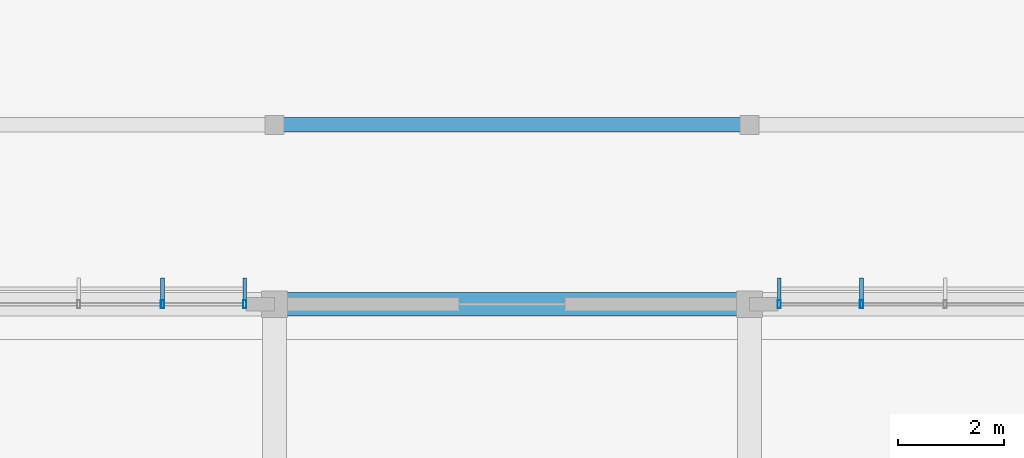
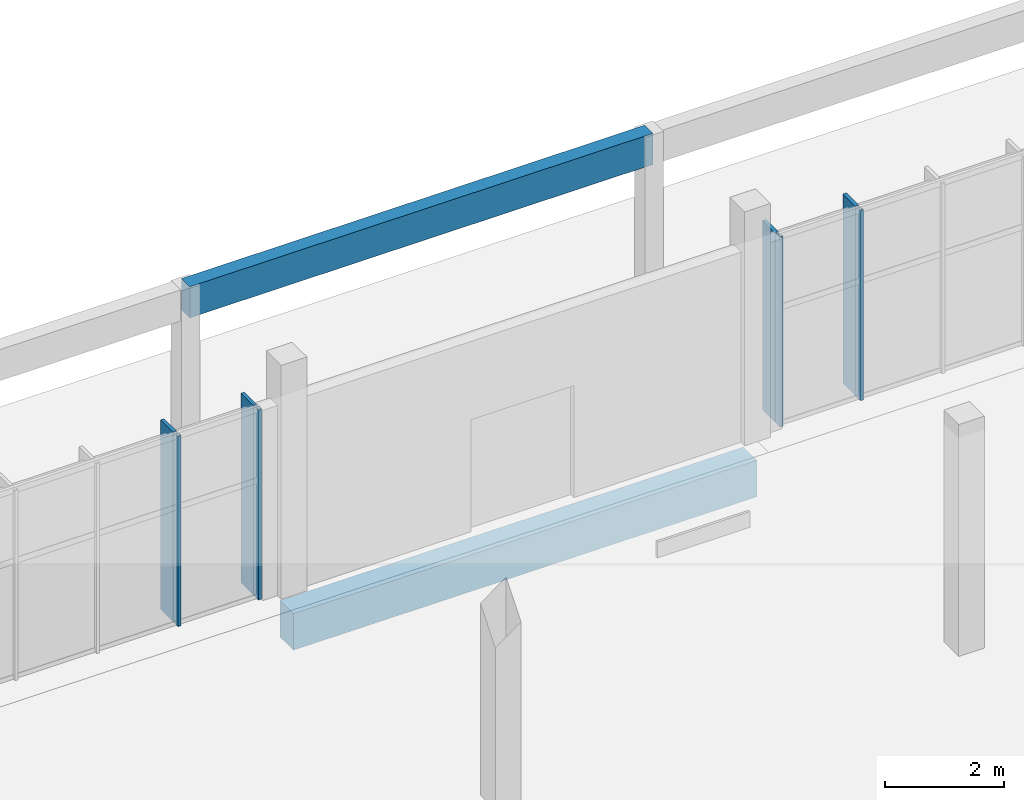
# One storey, part 40 of 151: 8 members, 2 beams, 2 elements without a shape of their own.
"""IFC4 building model written with IfcOpenShell, lengths in metres."""

from ifc_helpers import new_model, si_unit, direction, frame, origin, origin_2d, place, context, subcontext, project, spatial, rectangle, hollow_rectangle, extrude, material, material_profile, profile_set, type_object, element, aggregate, save


model = new_model("IFC4")

# Units and contexts
model_context = context("Model", 3, precision=1e-05, world=origin(), true_north=direction((0.0, 1.0)))
body_context = subcontext(model_context, "Body", "Model", "MODEL_VIEW")
ifc_project = project(units=[si_unit("LENGTHUNIT", "METRE"), si_unit("AREAUNIT", "SQUARE_METRE"), si_unit("VOLUMEUNIT", "CUBIC_METRE"), si_unit("PLANEANGLEUNIT", "RADIAN"), si_unit("MASSUNIT", "GRAM", prefix="KILO")], contexts=[model_context])

# Site, building, storey
site_placement = place(None, origin())
site = spatial("IfcSite", under=ifc_project, at=site_placement, CompositionType="ELEMENT")
building_placement = place(site_placement, origin())
building = spatial("IfcBuilding", under=site, at=building_placement, Name="Chiffa Square Polytechnic", CompositionType="ELEMENT")
storey_placement = place(building_placement, origin())
storey = spatial("IfcBuildingStorey", under=building, at=storey_placement, Name="L00", CompositionType="ELEMENT", Elevation=0.0)

# Curtain wall, members
ifc_material_1 = material(Name="Aluminium EN AW-6060 T66 and glulam shading", Category="wood")
curtain_wall_type_1 = type_object("IfcCurtainWallType", Name="CW-VERT-360X380", PredefinedType="USERDEFINED", material=ifc_material_1)
curtain_wall_1_placement = place(storey_placement, origin())
curtain_wall_1 = element("IfcCurtainWall", 1, at=curtain_wall_1_placement, inside=storey, type_object=curtain_wall_type_1, Name="Curtain wall CW-V4-L00-181", ObjectType="CURTAIN WALL", PredefinedType="USERDEFINED")
ifc_material_2 = material(Name="Aluminium EN AW-6060 T66", Category="aluminium")
ifc_material_profile_1 = material_profile(ifc_material_2, hollow_rectangle(XDim=0.06005859375, YDim=0.159912109375, WallThickness=0.00390625, at=origin_2d()), Name="ALU 60x160x4")
ifc_profile_set_1 = profile_set([ifc_material_profile_1], Name="Aluminium EN AW-6060 T66")
member_type_1 = type_object("IfcMemberType", Name="CWM-ALU-65X150", PredefinedType="MULLION", material=ifc_profile_set_1)
member_1_placement = place(storey_placement, frame((77.72412109375, 51.0, 0.0), z_axis=(0.0, 0.0, 1.0), x_axis=(1.0, 0.0, 0.0)))
member_1 = element("IfcMember", 2, at=member_1_placement, type_object=member_type_1, Name="Curtain wall mullion CW-V4-L00-181-M04", PredefinedType="MULLION", context=body_context, shape_type="SweptSolid", body=[
    extrude(hollow_rectangle(XDim=0.06005859375, YDim=0.159912109375, WallThickness=0.00390625, at=origin_2d()), origin(), (0.0, 0.0, 1.0), 3.905029296875),
])
member_2_placement = place(storey_placement, frame((76.1650390625, 51.0, 0.0), z_axis=(0.0, 0.0, 1.0), x_axis=(1.0, 0.0, 0.0)))
member_2 = element("IfcMember", 3, at=member_2_placement, type_object=member_type_1, Name="Curtain wall mullion CW-V4-L00-181-M05", PredefinedType="MULLION", context=body_context, shape_type="SweptSolid", body=[
    extrude(hollow_rectangle(XDim=0.06005859375, YDim=0.159912109375, WallThickness=0.00390625, at=origin_2d()), origin(), (0.0, 0.0, 1.0), 3.905029296875),
])

curtain_wall_type_2 = type_object("IfcCurtainWallType", Name="CW-VERT-480X380", PredefinedType="USERDEFINED", material=ifc_material_1)
curtain_wall_2_placement = place(storey_placement, origin())
curtain_wall_2 = element("IfcCurtainWall", 4, at=curtain_wall_2_placement, inside=storey, type_object=curtain_wall_type_2, Name="Curtain wall CW-V4-L00-182", ObjectType="CURTAIN WALL", PredefinedType="USERDEFINED")
member_3_placement = place(storey_placement, frame((66.034912109375, 51.0, 0.0), z_axis=(0.0, 0.0, 1.0), x_axis=(1.0, 0.0, 0.0)))
member_3 = element("IfcMember", 5, at=member_3_placement, type_object=member_type_1, Name="Curtain wall mullion CW-V4-L00-182-M00", PredefinedType="MULLION", context=body_context, shape_type="SweptSolid", body=[
    extrude(hollow_rectangle(XDim=0.06005859375, YDim=0.159912109375, WallThickness=0.00390625, at=origin_2d()), origin(), (0.0, 0.0, 1.0), 3.905029296875),
])
member_4_placement = place(storey_placement, frame((64.47607421875, 51.0, 0.0), z_axis=(0.0, 0.0, 1.0), x_axis=(1.0, 0.0, 0.0)))
member_4 = element("IfcMember", 6, at=member_4_placement, type_object=member_type_1, Name="Curtain wall mullion CW-V4-L00-182-M01", PredefinedType="MULLION", context=body_context, shape_type="SweptSolid", body=[
    extrude(hollow_rectangle(XDim=0.06005859375, YDim=0.159912109375, WallThickness=0.00390625, at=origin_2d()), origin(), (0.0, 0.0, 1.0), 3.905029296875),
])

# Member
ifc_material_3 = material(Name="Glulam GL28h", Category="wood")
ifc_material_profile_2 = material_profile(ifc_material_3, rectangle(XDim=0.070068359375, YDim=0.419921875, at=origin_2d()), Name="GL28h 70x420")
ifc_profile_set_2 = profile_set([ifc_material_profile_2], Name="Glulam GL28h")
member_type_2 = type_object("IfcMemberType", Name="CWM-GL-70X420", PredefinedType="MULLION", material=ifc_profile_set_2)
member_5_placement = place(storey_placement, frame((77.72412109375, 51.2919921875, 0.010009765625), z_axis=(0.0, 0.0, 1.0), x_axis=(-1.0, 0.0, 0.0)))
member_5 = element("IfcMember", 7, at=member_5_placement, type_object=member_type_2, Name="Exterior glulam solar fin CW-V4-L00-181-FN04", PredefinedType="MULLION", context=body_context, shape_type="SweptSolid", body=[
    extrude(rectangle(XDim=0.070068359375, YDim=0.419921875, at=origin_2d()), origin(), (0.0, 0.0, 1.0), 3.885009765625),
])

member_6_placement = place(storey_placement, frame((76.1650390625, 51.2919921875, 0.010009765625), z_axis=(0.0, 0.0, 1.0), x_axis=(-1.0, 0.0, 0.0)))
member_6 = element("IfcMember", 8, at=member_6_placement, type_object=member_type_2, Name="Exterior glulam solar fin CW-V4-L00-181-FN05", PredefinedType="MULLION", context=body_context, shape_type="SweptSolid", body=[
    extrude(rectangle(XDim=0.070068359375, YDim=0.419921875, at=origin_2d()), origin(), (0.0, 0.0, 1.0), 3.885009765625),
])

aggregate(curtain_wall_1, [member_1, member_5, member_2, member_6])

member_7_placement = place(storey_placement, frame((66.034912109375, 51.2919921875, 0.010009765625), z_axis=(0.0, 0.0, 1.0), x_axis=(-1.0, 0.0, 0.0)))
member_7 = element("IfcMember", 9, at=member_7_placement, type_object=member_type_2, Name="Exterior glulam solar fin CW-V4-L00-182-FN00", PredefinedType="MULLION", context=body_context, shape_type="SweptSolid", body=[
    extrude(rectangle(XDim=0.070068359375, YDim=0.419921875, at=origin_2d()), origin(), (0.0, 0.0, 1.0), 3.885009765625),
])

member_8_placement = place(storey_placement, frame((64.47607421875, 51.2919921875, 0.010009765625), z_axis=(0.0, 0.0, 1.0), x_axis=(-1.0, 0.0, 0.0)))
member_8 = element("IfcMember", 10, at=member_8_placement, type_object=member_type_2, Name="Exterior glulam solar fin CW-V4-L00-182-FN01", PredefinedType="MULLION", context=body_context, shape_type="SweptSolid", body=[
    extrude(rectangle(XDim=0.070068359375, YDim=0.419921875, at=origin_2d()), origin(), (0.0, 0.0, 1.0), 3.885009765625),
])

aggregate(curtain_wall_2, [member_3, member_7, member_4, member_8])

# Beams
ifc_material_4 = material(Name="Concrete C35/45", Category="concrete")
ifc_material_profile_3 = material_profile(ifc_material_4, rectangle(XDim=0.449951171875, YDim=0.75, at=origin_2d()), Name="RC 450x750")
ifc_profile_set_3 = profile_set([ifc_material_profile_3], Name="Concrete C35/45")
beam_type_1 = type_object("IfcBeamType", Name="GB-RC-450X750", PredefinedType="BEAM", material=ifc_profile_set_3)
beam_1_placement = place(storey_placement, frame((66.60009765625, 51.0, -0.77490234375), z_axis=(1.0, 0.0, 0.0), x_axis=(0.0, 1.0, 0.0)))
element("IfcBeam", 11, at=beam_1_placement, inside=storey, type_object=beam_type_1, Name="Ground tie beam GB-V4-X-116", PredefinedType="BEAM", context=body_context, shape_type="SweptSolid", body=[
    extrude(rectangle(XDim=0.449951171875, YDim=0.75, at=origin_2d()), origin(), (0.0, 0.0, 1.0), 9.0),
])
ifc_material_profile_4 = material_profile(ifc_material_3, rectangle(XDim=0.280029296875, YDim=0.639892578125, at=origin_2d()), Name="GL28h 280x640")
ifc_profile_set_4 = profile_set([ifc_material_profile_4], Name="Glulam GL28h")
beam_type_2 = type_object("IfcBeamType", Name="RB-GL-280X640", PredefinedType="SPANDREL", material=ifc_profile_set_4)
beam_2_placement = place(storey_placement, frame((66.60009765625, 54.39990234375, 3.8798828125), z_axis=(1.0, 0.0, 0.0), x_axis=(0.0, 1.0, 0.0)))
element("IfcBeam", 12, at=beam_2_placement, inside=storey, type_object=beam_type_2, Name="Courtyard pergola beam RB-CY-L00-02", PredefinedType="SPANDREL", context=body_context, shape_type="SweptSolid", body=[
    extrude(rectangle(XDim=0.280029296875, YDim=0.639892578125, at=origin_2d()), origin(), (0.0, 0.0, 1.0), 9.0),
])

save(model, "model.ifc")
